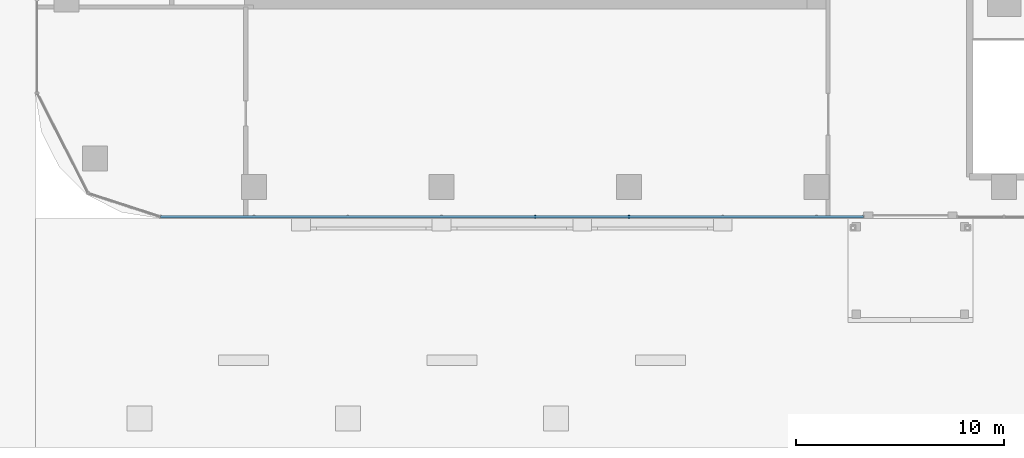
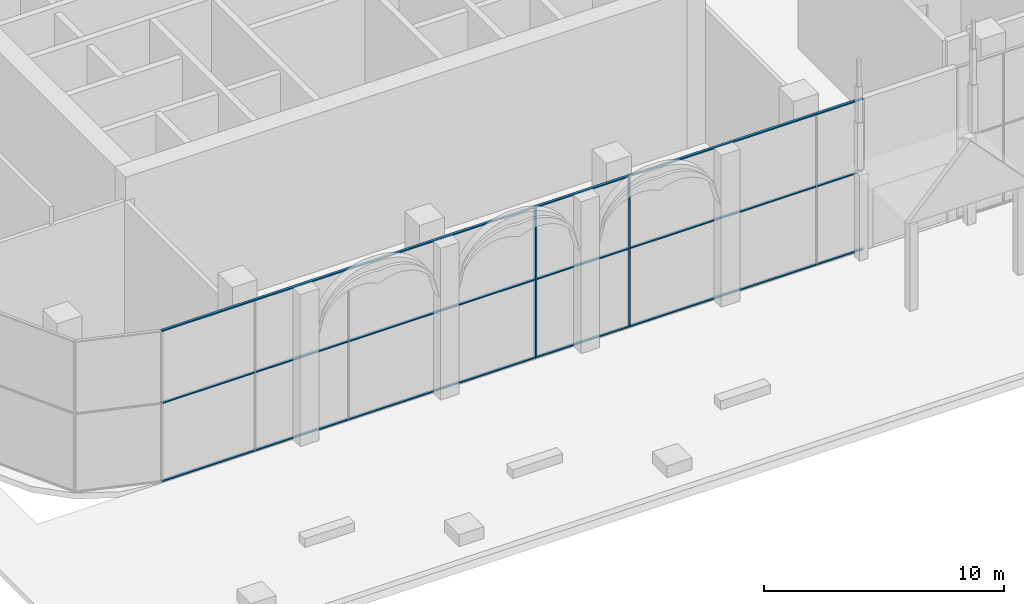
# One storey, part 4 of 54: 5 members, 1 element without a shape of its own.
"""IFC4 building model written with IfcOpenShell, lengths in metres."""

from ifc_helpers import new_model, si_unit, direction, frame, origin, origin_2d, place, context, subcontext, project, spatial, rectangle, extrude, material, material_profile, profile_set, type_object, element, aggregate, save


model = new_model("IFC4")

# Units and contexts
model_context = context("Model", 3, precision=1e-05, world=origin(), true_north=direction((0.0, 1.0)))
body_context = subcontext(model_context, "Body", "Model", "MODEL_VIEW")
ifc_project = project(units=[si_unit("LENGTHUNIT", "METRE"), si_unit("AREAUNIT", "SQUARE_METRE"), si_unit("VOLUMEUNIT", "CUBIC_METRE"), si_unit("PLANEANGLEUNIT", "RADIAN"), si_unit("MASSUNIT", "GRAM", prefix="KILO")], contexts=[model_context])

# Site, building, storey
site_placement = place(None, origin())
site = spatial("IfcSite", under=ifc_project, at=site_placement, CompositionType="ELEMENT")
building_placement = place(site_placement, origin())
building = spatial("IfcBuilding", under=site, at=building_placement, Name="Ogive Portal Towers", CompositionType="ELEMENT")
storey_placement = place(building_placement, origin())
storey = spatial("IfcBuildingStorey", under=building, at=storey_placement, Name="L00", CompositionType="ELEMENT", Elevation=0.0)

# Curtain wall, members
ifc_material_1 = material(Name="Glass, clear low-iron insulated glazing", Category="glass")
curtain_wall_type = type_object("IfcCurtainWallType", Name="CW PODIUM SHOPFRONT", PredefinedType="NOTDEFINED", material=ifc_material_1)
curtain_wall_placement = place(storey_placement, origin())
curtain_wall = element("IfcCurtainWall", 1, at=curtain_wall_placement, inside=storey, type_object=curtain_wall_type, Name="A:L00:f02:cw0", PredefinedType="NOTDEFINED")
ifc_material_2 = material(Name="Aluminium 6063 anodised", Category="aluminium")
ifc_material_profile_1 = material_profile(ifc_material_2, rectangle(XDim=0.159912109375, YDim=0.06005859375, at=origin_2d()), Name="AL 60x160")
ifc_profile_set_1 = profile_set([ifc_material_profile_1], Name="Aluminium 6063 anodised")
member_type_1 = type_object("IfcMemberType", Name="CW MULLION 60x160", PredefinedType="MULLION", material=ifc_profile_set_1)
member_1_placement = place(storey_placement, frame((45.0, 11.080078125, 0.06005859375), z_axis=(0.0, 0.0, 1.0), x_axis=(0.0, 1.0, 0.0)))
member_1 = element("IfcMember", 2, at=member_1_placement, type_object=member_type_1, Name="mullion", PredefinedType="MULLION", context=body_context, shape_type="SweptSolid", body=[
    extrude(rectangle(XDim=0.159912109375, YDim=0.06005859375, at=origin_2d()), origin(), (0.0, 0.0, 1.0), 7.579833984375),
])
member_2_placement = place(storey_placement, frame((49.5, 11.080078125, 0.06005859375), z_axis=(0.0, 0.0, 1.0), x_axis=(0.0, 1.0, 0.0)))
member_2 = element("IfcMember", 3, at=member_2_placement, type_object=member_type_1, Name="mullion", PredefinedType="MULLION", context=body_context, shape_type="SweptSolid", body=[
    extrude(rectangle(XDim=0.159912109375, YDim=0.06005859375, at=origin_2d()), origin(), (0.0, 0.0, 1.0), 7.579833984375),
])
ifc_material_profile_2 = material_profile(ifc_material_2, rectangle(XDim=0.1201171875, YDim=0.06005859375, at=origin_2d()), Name="AL 120x60")
ifc_profile_set_2 = profile_set([ifc_material_profile_2], Name="Aluminium 6063 anodised")
member_type_2 = type_object("IfcMemberType", Name="CW TRANSOM 60x120", PredefinedType="USERDEFINED", material=ifc_profile_set_2)
member_3_placement = place(storey_placement, frame((27.0126953125, 11.080078125, 0.030029296875), z_axis=(1.0, 0.0, 0.0), x_axis=(0.0, 1.0, 0.0)))
member_3 = element("IfcMember", 4, at=member_3_placement, type_object=member_type_2, Name="transom", ObjectType="TRANSOM", PredefinedType="USERDEFINED", context=body_context, shape_type="SweptSolid", body=[
    extrude(rectangle(XDim=0.1201171875, YDim=0.06005859375, at=origin_2d()), origin(), (0.0, 0.0, 1.0), 33.735107421875),
])
member_4_placement = place(storey_placement, frame((27.0126953125, 11.080078125, 4.0), z_axis=(1.0, 0.0, 0.0), x_axis=(0.0, 1.0, 0.0)))
member_4 = element("IfcMember", 5, at=member_4_placement, type_object=member_type_2, Name="transom", ObjectType="TRANSOM", PredefinedType="USERDEFINED", context=body_context, shape_type="SweptSolid", body=[
    extrude(rectangle(XDim=0.1201171875, YDim=0.06005859375, at=origin_2d()), origin(), (0.0, 0.0, 1.0), 33.735107421875),
])
member_5_placement = place(storey_placement, frame((27.0126953125, 11.080078125, 7.669921875), z_axis=(1.0, 0.0, 0.0), x_axis=(0.0, 1.0, 0.0)))
member_5 = element("IfcMember", 6, at=member_5_placement, type_object=member_type_2, Name="transom", ObjectType="TRANSOM", PredefinedType="USERDEFINED", context=body_context, shape_type="SweptSolid", body=[
    extrude(rectangle(XDim=0.1201171875, YDim=0.06005859375, at=origin_2d()), origin(), (0.0, 0.0, 1.0), 33.735107421875),
])
aggregate(curtain_wall, [member_3, member_4, member_5, member_1, member_2])

save(model, "model.ifc")
